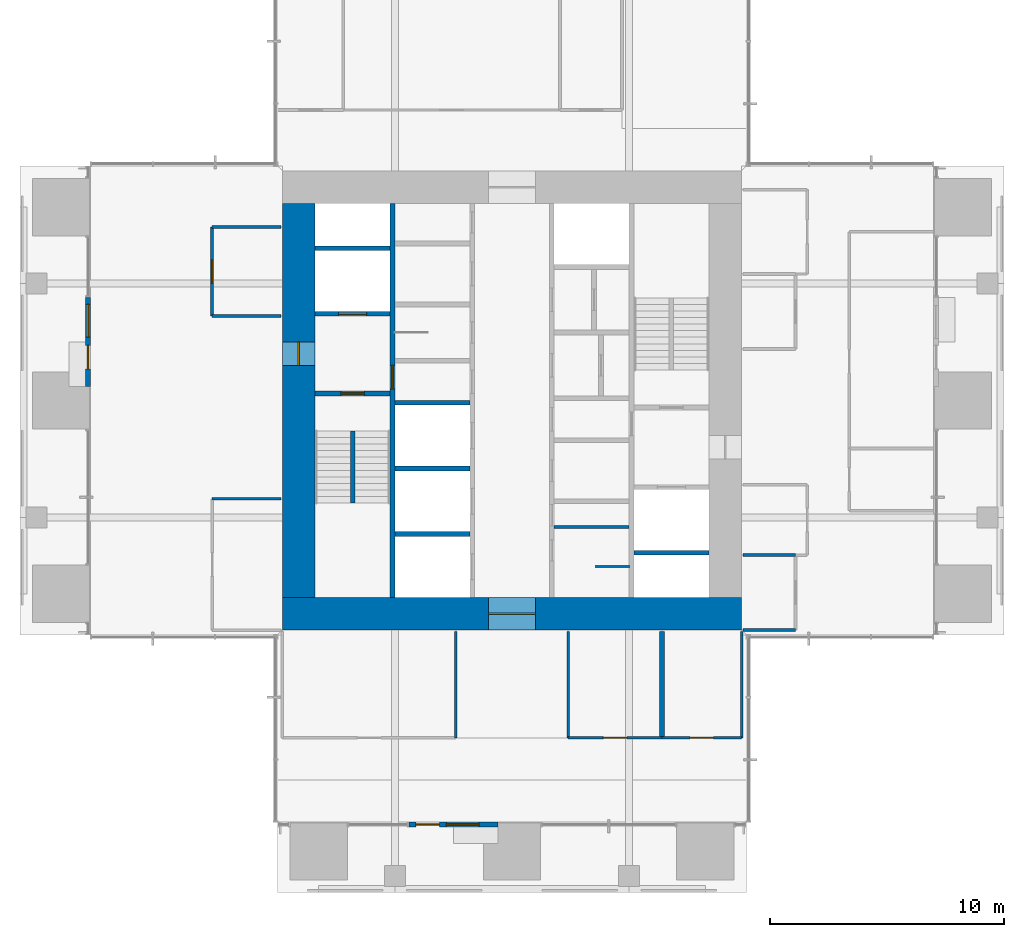
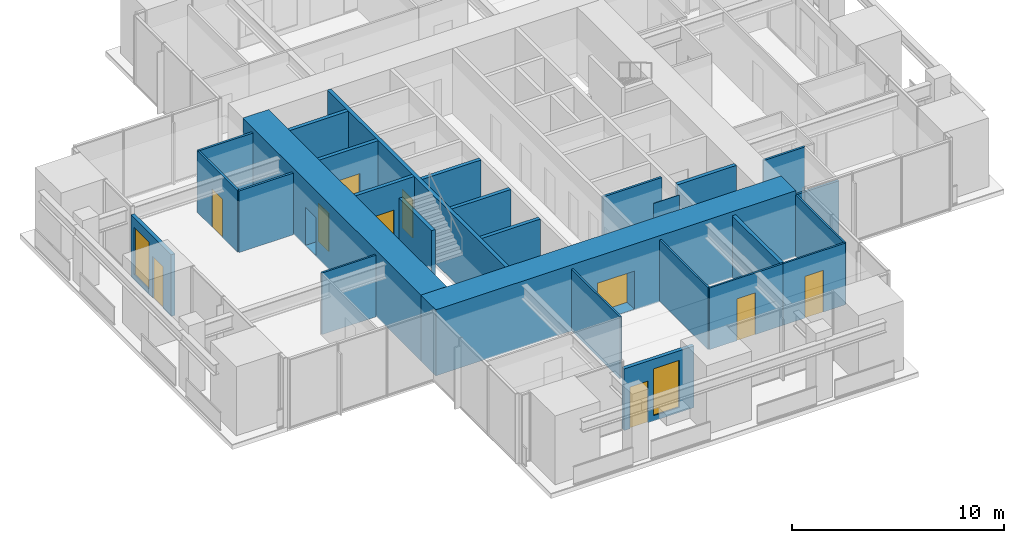
# One storey, part 12 of 17: 27 walls, 10 doors, 2 windows, 12 openings.
"""IFC4 building model written with IfcOpenShell, lengths in metres."""

import ifcopenshell
import ifcopenshell.guid

model = None  # the IFC model being written
_history = None  # IfcOwnerHistory: only IFC2X3 demands one
_inside = {}  # id of a spatial element -> (the spatial element, [elements in it])
_under = {}  # id of a project, library or spatial element -> (it, [spatial elements below it])
_declared = {}  # id of a project -> (the project, [libraries it declares])
_typed = {}  # id of a type object -> (the type object, [elements of that type])
_made_of = {}  # id of a material, layer set ... -> (it, [elements and type objects made of it])


def new_model(schema):
    """Start an empty IFC model of exactly this schema.

    Asked for "IFC4X3", IfcOpenShell would pick the latest addendum, in which some entities
    have other attributes; the version numbers below select the first issue.
    IFC2X3 requires an IfcOwnerHistory on every rooted entity: one is made here for all.
    """
    global model, _history
    if schema == "IFC4X3":
        model = ifcopenshell.file(schema_version=(4, 3, 0, 0))
    else:
        model = ifcopenshell.file(schema=schema)
    _inside.clear()
    _under.clear()
    _declared.clear()
    _typed.clear()
    _made_of.clear()
    _history = None
    if model.schema == "IFC2X3":
        org = make("IfcOrganization", Name="unknown")
        user = make(
            "IfcPersonAndOrganization",
            ThePerson=make("IfcPerson", FamilyName="unknown"),
            TheOrganization=org,
        )
        app = make(
            "IfcApplication",
            ApplicationDeveloper=org,
            Version="unknown",
            ApplicationFullName="unknown",
            ApplicationIdentifier="unknown",
        )
        _history = make(
            "IfcOwnerHistory",
            OwningUser=user,
            OwningApplication=app,
            ChangeAction="ADDED",
            CreationDate=0,
        )
    return model


def make(cls, **values):
    """One entity of the class cls with the attributes given. An attribute that is None is left unset."""
    return model.create_entity(
        cls, **{name: value for name, value in values.items() if value is not None}
    )


def rooted(cls, **values):
    """An entity with a GlobalId (a new one), such as an element, a storey or a relation."""
    return make(cls, GlobalId=ifcopenshell.guid.new(), OwnerHistory=_history, **values)


def si_unit(unit_type, name, prefix=None):
    """IfcSIUnit, for example si_unit("LENGTHUNIT", "METRE", prefix="MILLI")."""
    return make("IfcSIUnit", UnitType=unit_type, Prefix=prefix, Name=name)


def assignment(units):
    """IfcUnitAssignment: the units of a project."""
    return None if units is None else make("IfcUnitAssignment", Units=units)


def point(xyz):
    """IfcCartesianPoint."""
    return None if xyz is None else make("IfcCartesianPoint", Coordinates=xyz)


def direction(xyz):
    """IfcDirection."""
    return None if xyz is None else make("IfcDirection", DirectionRatios=xyz)


def frame(location, z_axis=None, x_axis=None):
    """IfcAxis2Placement3D, a coordinate frame: its origin and axes. An axis left out is left unset."""
    return make(
        "IfcAxis2Placement3D",
        Location=point(location),
        Axis=direction(z_axis),
        RefDirection=direction(x_axis),
    )


def frame_2d(location, x_axis=None):
    """IfcAxis2Placement2D, a coordinate frame in the plane: its origin and x axis."""
    return make(
        "IfcAxis2Placement2D", Location=point(location), RefDirection=direction(x_axis)
    )


def origin():
    """The frame at (0, 0, 0) with its axes left unset."""
    return frame((0.0, 0.0, 0.0))


def place(relative_to, where):
    """IfcLocalPlacement: puts the frame where relative to a parent placement (None: the world)."""
    return make(
        "IfcLocalPlacement", PlacementRelTo=relative_to, RelativePlacement=where
    )


def context(
    kind, dimensions, precision=None, world=None, true_north=None, identifier=None
):
    """IfcGeometricRepresentationContext, for example the 3D "Model" context."""
    return make(
        "IfcGeometricRepresentationContext",
        ContextIdentifier=identifier,
        ContextType=kind,
        CoordinateSpaceDimension=dimensions,
        Precision=precision,
        WorldCoordinateSystem=world,
        TrueNorth=true_north,
    )


def subcontext(parent, identifier, kind, view, scale=None):
    """IfcGeometricRepresentationSubContext, for example "Body" below "Model"."""
    return make(
        "IfcGeometricRepresentationSubContext",
        ContextIdentifier=identifier,
        ContextType=kind,
        ParentContext=parent,
        TargetScale=scale,
        TargetView=view,
    )


def project(units=None, contexts=None):
    """IfcProject with its units and contexts."""
    return rooted(
        "IfcProject",
        Name="project",
        RepresentationContexts=contexts,
        UnitsInContext=assignment(units),
    )


def spatial(cls, under=None, at=None, **own):
    """A site, building, storey or space (cls), placed at a placement, below another one or the project."""
    s = rooted(cls, ObjectPlacement=at, **own)
    if under is not None:
        _under.setdefault(under.id(), (under, []))[1].append(s)
    return s


def profile(cls, at=None, kind="AREA", **sizes):
    """A parametric profile (cls). Its sizes go by their IFC names, for example OverallWidth=200.0."""
    return make(cls, ProfileType=kind, Position=at, **sizes)


def rectangle(**sizes):
    """IfcRectangleProfileDef."""
    return profile("IfcRectangleProfileDef", **sizes)


def extrude(swept, where, along, depth):
    """IfcExtrudedAreaSolid: the profile swept, set in the frame where, extruded along a direction by depth."""
    return make(
        "IfcExtrudedAreaSolid",
        SweptArea=swept,
        Position=where,
        ExtrudedDirection=direction(along),
        Depth=depth,
    )


def shape(context_of_items, identifier, shape_type, items):
    """IfcShapeRepresentation: the items that make up one representation, for example the "Body"."""
    return make(
        "IfcShapeRepresentation",
        ContextOfItems=context_of_items,
        RepresentationIdentifier=identifier,
        RepresentationType=shape_type,
        Items=items,
    )


def material(Name=None, Category=None):
    """IfcMaterial."""
    return make("IfcMaterial", Name=Name, Category=Category)


def layer(
    of_material, thickness, ventilated=None, Name=None, Category=None, Priority=None
):
    """IfcMaterialLayer: one layer of a wall or slab, of a material (None: an air gap)."""
    return make(
        "IfcMaterialLayer",
        Material=of_material,
        LayerThickness=thickness,
        IsVentilated=ventilated,
        Name=Name,
        Category=Category,
        Priority=Priority,
    )


def layer_set(layers, Name=None):
    """IfcMaterialLayerSet."""
    return make("IfcMaterialLayerSet", MaterialLayers=layers, LayerSetName=Name)


def made_of(thing, what):
    """Note that an element or type object is made of a material, layer set ...; save() writes the relation."""
    if what is not None:
        _made_of.setdefault(what.id(), (what, []))[1].append(thing)
    return thing


def type_object(cls, material=None, **own):
    """A type object (cls), such as IfcWallType, which elements share."""
    return made_of(rooted(cls, **own), material)


def element(
    cls,
    number,
    at=None,
    inside=None,
    cuts=None,
    type_object=None,
    material=None,
    context=None,
    identifier="Body",
    shape_type=None,
    held_by="IfcProductDefinitionShape",
    body=None,
    shapes=None,
    **own,
):
    """One element of the class cls, such as IfcWall. Its Tag is "e" and its number.

    at: its placement. inside: the storey or other place that contains it. cuts: it is an
    opening in that element (IfcRelVoidsElement). A single representation is given by context,
    identifier, shape_type and body (its items); several are given by shapes. held_by: the class
    of the entity that holds the representations. save() writes the other relations.
    """
    e = rooted(cls, Tag="e%d" % number, ObjectPlacement=at, **own)
    if body is not None:
        shapes = [shape(context, identifier, shape_type, body)]
    if shapes is not None:
        e.Representation = make(held_by, Representations=shapes)
    if inside is not None:
        _inside.setdefault(inside.id(), (inside, []))[1].append(e)
    if cuts is not None:
        rooted(
            "IfcRelVoidsElement", RelatingBuildingElement=cuts, RelatedOpeningElement=e
        )
    if type_object is not None:
        _typed.setdefault(type_object.id(), (type_object, []))[1].append(e)
    return made_of(e, material)


def fill(opening, filler):
    """IfcRelFillsElement: the door or window that sits in an opening."""
    return rooted(
        "IfcRelFillsElement",
        RelatingOpeningElement=opening,
        RelatedBuildingElement=filler,
    )


def aggregate(whole, parts):
    """IfcRelAggregates: a whole, such as a stair, and the parts it consists of."""
    return rooted("IfcRelAggregates", RelatingObject=whole, RelatedObjects=parts)


def save(model, path):
    """Write the relations noted so far, then the file.

    IfcRelAggregates (storeys below a building ...), IfcRelContainedInSpatialStructure (elements
    in a storey), IfcRelDefinesByType, IfcRelAssociatesMaterial and IfcRelDeclares: one each for
    every whole, place, type object, material and project.
    """
    for whole, parts in _under.values():
        aggregate(whole, parts)
    for where, things in _inside.values():
        rooted(
            "IfcRelContainedInSpatialStructure",
            RelatedElements=things,
            RelatingStructure=where,
        )
    for kind, things in _typed.values():
        rooted("IfcRelDefinesByType", RelatedObjects=things, RelatingType=kind)
    for what, things in _made_of.values():
        rooted("IfcRelAssociatesMaterial", RelatedObjects=things, RelatingMaterial=what)
    for by, libraries in _declared.values():
        rooted("IfcRelDeclares", RelatingContext=by, RelatedDefinitions=libraries)
    model.write(path)


model = new_model("IFC4")

# Units and contexts
model_context = context("Model", 3, precision=1e-05, world=origin(), true_north=direction((0.0, 1.0)))
body_context = subcontext(model_context, "Body", "Model", "MODEL_VIEW")
ifc_project = project(units=[si_unit("LENGTHUNIT", "METRE"), si_unit("AREAUNIT", "SQUARE_METRE"), si_unit("VOLUMEUNIT", "CUBIC_METRE"), si_unit("PLANEANGLEUNIT", "RADIAN"), si_unit("MASSUNIT", "GRAM", prefix="KILO")], contexts=[model_context])

# Site, building, storey
site_placement = place(None, origin())
site = spatial("IfcSite", under=ifc_project, at=site_placement, CompositionType="ELEMENT")
building_placement = place(site_placement, origin())
building = spatial("IfcBuilding", under=site, at=building_placement, Name="Svetlomir Tower", CompositionType="ELEMENT")
storey_placement = place(building_placement, frame((0.0, 0.0, 230.5)))
storey = spatial("IfcBuildingStorey", under=building, at=storey_placement, Name="L55", CompositionType="ELEMENT", Elevation=230.5)

# Wall
ifc_material_1 = material(Name="Gypsum board on twin steel studs", Category="steel")
ifc_layer_1 = layer(ifc_material_1, 0.199951171875)
ifc_layer_set_1 = layer_set([ifc_layer_1], Name="Gypsum board on twin steel studs")
wall_type_1 = type_object("IfcWallType", Name="ACOUSTIC PARTITION 200", PredefinedType="PARTITIONING", material=ifc_layer_set_1)
wall_1_placement = place(storey_placement, frame((27.39990234375, 6.60009765625, 0.0), z_axis=(0.0, 0.0, 1.0), x_axis=(0.0, 1.0, 0.0)))
element("IfcWall", 1, at=wall_1_placement, inside=storey, type_object=wall_type_1, Name="Acoustic partition L55", PredefinedType="PARTITIONING", context=body_context, shape_type="SweptSolid", body=[
    extrude(rectangle(XDim=4.5498046875, YDim=0.199951171875, at=frame_2d((2.27490234375, 0.0))), origin(), (0.0, 0.0, 1.0), 3.550048828125),
])

# Wall, openings, door, window
ifc_material_2 = material(Name="Bronze anodised aluminium glazed screen", Category="aluminium")
ifc_layer_2 = layer(ifc_material_2, 0.199951171875)
ifc_layer_set_2 = layer_set([ifc_layer_2], Name="Bronze anodised aluminium glazed screen")
wall_type_2 = type_object("IfcWallType", Name="BALCONY SCREEN WALL 200", PredefinedType="USERDEFINED", material=ifc_layer_set_2)
wall_2_placement = place(storey_placement, frame((16.60009765625, 2.89990234375, 0.0), z_axis=(0.0, 0.0, 1.0), x_axis=(1.0, 0.0, 0.0)))
wall_2 = element("IfcWall", 2, at=wall_2_placement, inside=storey, type_object=wall_type_2, Name="Balcony screen S", ObjectType="GLAZED SCREEN", PredefinedType="USERDEFINED", context=body_context, shape_type="SweptSolid", body=[
    extrude(rectangle(XDim=3.7998046875, YDim=0.199951171875, at=frame_2d((1.89990234375, 0.0))), origin(), (0.0, 0.0, 1.0), 3.550048828125),
])
opening_1_placement = place(wall_2_placement, frame((0.300048828125, 0.0, 0.0)))
opening_1 = element("IfcOpeningElement", 3, at=opening_1_placement, cuts=wall_2, Name="Opening BD", PredefinedType="OPENING", context=body_context, shape_type="SweptSolid", body=[
    extrude(rectangle(XDim=1.0, YDim=2.39990234375, at=frame_2d((0.5, 1.199951171875))), frame((0.0, 0.10986328125, 0.0), z_axis=(0.0, -1.0, 0.0), x_axis=(1.0, 0.0, 0.0)), (0.0, 0.0, 1.0), 0.219970703125),
])
opening_2_placement = place(wall_2_placement, frame((1.60009765625, 0.0, 0.300048828125)))
opening_2 = element("IfcOpeningElement", 4, at=opening_2_placement, cuts=wall_2, Name="Opening WS2", PredefinedType="OPENING", context=body_context, shape_type="SweptSolid", body=[
    extrude(rectangle(XDim=1.39990234375, YDim=2.699951171875, at=frame_2d((0.699951171875, 1.35009765625))), frame((0.0, 0.10986328125, 0.0), z_axis=(0.0, -1.0, 0.0), x_axis=(1.0, 0.0, 0.0)), (0.0, 0.0, 1.0), 0.219970703125),
])
ifc_material_3 = material(Name="Bronze anodised aluminium glazed door", Category="aluminium")
door_type_1 = type_object("IfcDoorType", Name="BALCONY DOOR BD 1000x2400", OperationType="SINGLE_SWING_LEFT", PredefinedType="DOOR", material=ifc_material_3)
door_1_placement = place(opening_1_placement, origin())
door_1 = element("IfcDoor", 5, at=door_1_placement, inside=storey, type_object=door_type_1, Name="Balcony screen S door", OperationType="SINGLE_SWING_LEFT", OverallHeight=2.39990234375, OverallWidth=1.0, PredefinedType="DOOR", context=body_context, shape_type="SweptSolid", body=[
    extrude(rectangle(XDim=1.0, YDim=2.39990234375, at=frame_2d((0.5, 1.199951171875))), frame((0.0, 0.02490234375, 0.0), z_axis=(0.0, -1.0, 0.0), x_axis=(1.0, 0.0, 0.0)), (0.0, 0.0, 1.0), 0.050048828125),
])
fill(opening_1, door_1)
ifc_material_4 = material(Name="Bronze anodised aluminium window", Category="aluminium")
window_type = type_object("IfcWindowType", Name="SCREEN WINDOW WS2 1400x2700", PartitioningType="SINGLE_PANEL", PredefinedType="WINDOW", material=ifc_material_4)
window_1_placement = place(opening_2_placement, origin())
window_1 = element("IfcWindow", 6, at=window_1_placement, inside=storey, type_object=window_type, Name="Balcony screen S window 1", OverallHeight=2.699951171875, OverallWidth=1.39990234375, PartitioningType="SINGLE_PANEL", PredefinedType="WINDOW", context=body_context, shape_type="SweptSolid", body=[
    extrude(rectangle(XDim=1.39990234375, YDim=2.699951171875, at=frame_2d((0.699951171875, 1.35009765625))), frame((0.0, 0.030029296875, 0.0), z_axis=(0.0, -1.0, 0.0), x_axis=(1.0, 0.0, 0.0)), (0.0, 0.0, 1.0), 0.06005859375),
])
fill(opening_2, window_1)

wall_3_placement = place(storey_placement, frame((2.89990234375, 25.39990234375, 0.0), z_axis=(0.0, 0.0, 1.0), x_axis=(0.0, -1.0, 0.0)))
wall_3 = element("IfcWall", 7, at=wall_3_placement, inside=storey, type_object=wall_type_2, Name="Balcony screen W", ObjectType="GLAZED SCREEN", PredefinedType="USERDEFINED", context=body_context, shape_type="SweptSolid", body=[
    extrude(rectangle(XDim=3.7998046875, YDim=0.199951171875, at=frame_2d((1.89990234375, 0.0))), origin(), (0.0, 0.0, 1.0), 3.550048828125),
])
opening_3_placement = place(wall_3_placement, frame((2.050048828125, 0.0, 0.0)))
opening_3 = element("IfcOpeningElement", 8, at=opening_3_placement, cuts=wall_3, Name="Opening BD", PredefinedType="OPENING", context=body_context, shape_type="SweptSolid", body=[
    extrude(rectangle(XDim=1.0, YDim=2.39990234375, at=frame_2d((0.5, 1.199951171875))), frame((0.0, 0.10986328125, 0.0), z_axis=(0.0, -1.0, 0.0), x_axis=(1.0, 0.0, 0.0)), (0.0, 0.0, 1.0), 0.219970703125),
])
opening_4_placement = place(wall_3_placement, frame((0.300048828125, 0.0, 0.300048828125)))
opening_4 = element("IfcOpeningElement", 9, at=opening_4_placement, cuts=wall_3, Name="Opening WS2", PredefinedType="OPENING", context=body_context, shape_type="SweptSolid", body=[
    extrude(rectangle(XDim=1.39990234375, YDim=2.699951171875, at=frame_2d((0.699951171875, 1.35009765625))), frame((0.0, 0.10986328125, 0.0), z_axis=(0.0, -1.0, 0.0), x_axis=(1.0, 0.0, 0.0)), (0.0, 0.0, 1.0), 0.219970703125),
])
door_2_placement = place(opening_3_placement, origin())
door_2 = element("IfcDoor", 10, at=door_2_placement, inside=storey, type_object=door_type_1, Name="Balcony screen W door", OperationType="SINGLE_SWING_LEFT", OverallHeight=2.39990234375, OverallWidth=1.0, PredefinedType="DOOR", context=body_context, shape_type="SweptSolid", body=[
    extrude(rectangle(XDim=1.0, YDim=2.39990234375, at=frame_2d((0.5, 1.199951171875))), frame((0.0, 0.02490234375, 0.0), z_axis=(0.0, -1.0, 0.0), x_axis=(1.0, 0.0, 0.0)), (0.0, 0.0, 1.0), 0.050048828125),
])
fill(opening_3, door_2)
window_2_placement = place(opening_4_placement, origin())
window_2 = element("IfcWindow", 11, at=window_2_placement, inside=storey, type_object=window_type, Name="Balcony screen W window 1", OverallHeight=2.699951171875, OverallWidth=1.39990234375, PartitioningType="SINGLE_PANEL", PredefinedType="WINDOW", context=body_context, shape_type="SweptSolid", body=[
    extrude(rectangle(XDim=1.39990234375, YDim=2.699951171875, at=frame_2d((0.699951171875, 1.35009765625))), frame((0.0, 0.030029296875, 0.0), z_axis=(0.0, -1.0, 0.0), x_axis=(1.0, 0.0, 0.0)), (0.0, 0.0, 1.0), 0.06005859375),
])
fill(opening_4, window_2)

# Wall, opening, door
ifc_material_5 = material(Name="Concrete C60/75", Category="concrete")
ifc_layer_3 = layer(ifc_material_5, 0.199951171875)
ifc_layer_set_3 = layer_set([ifc_layer_3], Name="Concrete C60/75")
wall_type_3 = type_object("IfcWallType", Name="CORE INNER WALL 200", PredefinedType="SHEAR", material=ifc_layer_set_3)
wall_4_placement = place(storey_placement, frame((15.89990234375, 12.60009765625, -0.050048828125), z_axis=(0.0, 0.0, 1.0), x_axis=(0.0, 1.0, 0.0)))
wall_4 = element("IfcWall", 12, at=wall_4_placement, inside=storey, type_object=wall_type_3, Name="Core inner wall 15.9 L55", PredefinedType="SHEAR", context=body_context, shape_type="SweptSolid", body=[
    extrude(rectangle(XDim=16.7998046875, YDim=0.199951171875, at=frame_2d((8.39990234375, 0.0))), origin(), (0.0, 0.0, 1.0), 3.800048828125),
])
opening_5_placement = place(wall_4_placement, frame((8.89990234375, 0.0, 0.050048828125)))
opening_5 = element("IfcOpeningElement", 13, at=opening_5_placement, cuts=wall_4, Name="Opening DF", PredefinedType="OPENING", context=body_context, shape_type="SweptSolid", body=[
    extrude(rectangle(XDim=1.0, YDim=2.199951171875, at=frame_2d((0.5, 1.10009765625))), frame((0.0, 0.10986328125, 0.0), z_axis=(0.0, -1.0, 0.0), x_axis=(1.0, 0.0, 0.0)), (0.0, 0.0, 1.0), 0.219970703125),
])
ifc_material_6 = material(Name="Steel fire door", Category="steel")
door_type_2 = type_object("IfcDoorType", Name="DOOR DF 1000x2200", OperationType="SINGLE_SWING_LEFT", PredefinedType="DOOR", material=ifc_material_6)
door_3_placement = place(opening_5_placement, origin())
door_3 = element("IfcDoor", 14, at=door_3_placement, inside=storey, type_object=door_type_2, Name="Core corridor west door L55", OperationType="SINGLE_SWING_LEFT", OverallHeight=2.199951171875, OverallWidth=1.0, PredefinedType="DOOR", context=body_context, shape_type="SweptSolid", body=[
    extrude(rectangle(XDim=1.0, YDim=2.199951171875, at=frame_2d((0.5, 1.10009765625))), frame((0.0, 0.02490234375, 0.0), z_axis=(0.0, -1.0, 0.0), x_axis=(1.0, 0.0, 0.0)), (0.0, 0.0, 1.0), 0.050048828125),
])
fill(opening_5, door_3)

wall_5_placement = place(storey_placement, frame((12.60009765625, 21.300048828125, -0.050048828125), z_axis=(0.0, 0.0, 1.0), x_axis=(1.0, 0.0, 0.0)))
wall_5 = element("IfcWall", 15, at=wall_5_placement, inside=storey, type_object=wall_type_3, Name="Core inner wall 12.6-15.8/21.3 L55", PredefinedType="SHEAR", context=body_context, shape_type="SweptSolid", body=[
    extrude(rectangle(XDim=3.199951171875, YDim=0.199951171875, at=frame_2d((1.60009765625, 0.0))), origin(), (0.0, 0.0, 1.0), 3.800048828125),
])
opening_6_placement = place(wall_5_placement, frame((1.10009765625, 0.0, 0.050048828125)))
opening_6 = element("IfcOpeningElement", 16, at=opening_6_placement, cuts=wall_5, Name="Opening DF", PredefinedType="OPENING", context=body_context, shape_type="SweptSolid", body=[
    extrude(rectangle(XDim=1.0, YDim=2.199951171875, at=frame_2d((0.5, 1.10009765625))), frame((0.0, 0.10986328125, 0.0), z_axis=(0.0, -1.0, 0.0), x_axis=(1.0, 0.0, 0.0)), (0.0, 0.0, 1.0), 0.219970703125),
])
door_4_placement = place(opening_6_placement, origin())
door_4 = element("IfcDoor", 17, at=door_4_placement, inside=storey, type_object=door_type_2, Name="Stair S1 door L55", OperationType="SINGLE_SWING_RIGHT", OverallHeight=2.199951171875, OverallWidth=1.0, PredefinedType="DOOR", context=body_context, shape_type="SweptSolid", body=[
    extrude(rectangle(XDim=1.0, YDim=2.199951171875, at=frame_2d((0.5, 1.10009765625))), frame((0.0, 0.02490234375, 0.0), z_axis=(0.0, -1.0, 0.0), x_axis=(1.0, 0.0, 0.0)), (0.0, 0.0, 1.0), 0.050048828125),
])
fill(opening_6, door_4)

wall_6_placement = place(storey_placement, frame((12.60009765625, 24.699951171875, -0.050048828125), z_axis=(0.0, 0.0, 1.0), x_axis=(1.0, 0.0, 0.0)))
wall_6 = element("IfcWall", 18, at=wall_6_placement, inside=storey, type_object=wall_type_3, Name="Core inner wall 12.6-15.8/24.7 L55", PredefinedType="SHEAR", context=body_context, shape_type="SweptSolid", body=[
    extrude(rectangle(XDim=3.199951171875, YDim=0.199951171875, at=frame_2d((1.60009765625, 0.0))), origin(), (0.0, 0.0, 1.0), 3.800048828125),
])
opening_7_placement = place(wall_6_placement, frame((1.0, 0.0, 0.050048828125)))
opening_7 = element("IfcOpeningElement", 19, at=opening_7_placement, cuts=wall_6, Name="Opening LD3", PredefinedType="OPENING", context=body_context, shape_type="SweptSolid", body=[
    extrude(rectangle(XDim=1.199951171875, YDim=2.199951171875, at=frame_2d((0.60009765625, 1.10009765625))), frame((0.0, 0.10986328125, 0.0), z_axis=(0.0, -1.0, 0.0), x_axis=(1.0, 0.0, 0.0)), (0.0, 0.0, 1.0), 0.219970703125),
])
ifc_material_7 = material(Name="Stainless steel fire-rated landing door", Category="steel")
door_type_3 = type_object("IfcDoorType", Name="FIREFIGHTING LIFT LANDING DOOR LD3 1200x2200", OperationType="DOUBLE_DOOR_SLIDING", PredefinedType="DOOR", material=ifc_material_7)
door_5_placement = place(opening_7_placement, origin())
door_5 = element("IfcDoor", 20, at=door_5_placement, inside=storey, type_object=door_type_3, Name="Landing door lift FL1 L55", OperationType="DOUBLE_DOOR_SLIDING", OverallHeight=2.199951171875, OverallWidth=1.199951171875, PredefinedType="DOOR", context=body_context, shape_type="SweptSolid", body=[
    extrude(rectangle(XDim=1.199951171875, YDim=2.199951171875, at=frame_2d((0.60009765625, 1.10009765625))), frame((0.0, 0.02490234375, 0.0), z_axis=(0.0, -1.0, 0.0), x_axis=(1.0, 0.0, 0.0)), (0.0, 0.0, 1.0), 0.050048828125),
])
fill(opening_7, door_5)

# Walls
for number, where, z_axis, x_axis, name in (
    (21, (12.60009765625, 27.5, -0.050048828125), (0.0, 0.0, 1.0), (1.0, 0.0, 0.0), "Core inner wall 12.6-15.8/27.5 L55"),
    (22, (16.0, 15.300048828125, -0.050048828125), (0.0, 0.0, 1.0), (1.0, 0.0, 0.0), "Core inner wall 16-19.2/15.3 L55"),
    (23, (16.0, 18.10009765625, -0.050048828125), (0.0, 0.0, 1.0), (1.0, 0.0, 0.0), "Core inner wall 16-19.2/18.1 L55"),
    (24, (16.0, 20.89990234375, -0.050048828125), (0.0, 0.0, 1.0), (1.0, 0.0, 0.0), "Core inner wall 16-19.2/20.9 L55"),
    (25, (26.199951171875, 14.5, -0.050048828125), (0.0, 0.0, 1.0), (1.0, 0.0, 0.0), "Core inner wall 26.2-29.4/14.5 L55"),
):
    element("IfcWall", number, at=place(storey_placement, frame(where, z_axis=z_axis, x_axis=x_axis)), inside=storey, type_object=wall_type_3, Name=name, PredefinedType="SHEAR", context=body_context, shape_type="SweptSolid", body=[
        extrude(rectangle(XDim=3.199951171875, YDim=0.199951171875, at=frame_2d((1.60009765625, 0.0))), origin(), (0.0, 0.0, 1.0), 3.800048828125),
    ])

# Wall, opening, door
ifc_material_8 = material(Name="Concrete C60/75", Category="concrete")
ifc_layer_4 = layer(ifc_material_8, 1.39990234375)
ifc_layer_set_4 = layer_set([ifc_layer_4], Name="Concrete C60/75")
wall_type_4 = type_object("IfcWallType", Name="CORE WALL 1400", PredefinedType="SHEAR", material=ifc_layer_set_4)
wall_7_placement = place(storey_placement, frame((11.199951171875, 11.89990234375, -0.050048828125), z_axis=(0.0, 0.0, 1.0), x_axis=(1.0, 0.0, 0.0)))
wall_7 = element("IfcWall", 26, at=wall_7_placement, inside=storey, type_object=wall_type_4, Name="Core wall south L55", PredefinedType="SHEAR", context=body_context, shape_type="SweptSolid", body=[
    extrude(rectangle(XDim=19.60009765625, YDim=1.39990234375, at=frame_2d((9.800048828125, 0.0))), origin(), (0.0, 0.0, 1.0), 3.800048828125),
])
opening_8_placement = place(wall_7_placement, frame((8.800048828125, 0.0, 0.050048828125)))
opening_8 = element("IfcOpeningElement", 27, at=opening_8_placement, cuts=wall_7, Name="Opening DL", PredefinedType="OPENING", context=body_context, shape_type="SweptSolid", body=[
    extrude(rectangle(XDim=2.0, YDim=2.199951171875, at=frame_2d((1.0, 1.10009765625))), frame((0.0, 0.7099609375, 0.0), z_axis=(0.0, -1.0, 0.0), x_axis=(1.0, 0.0, 0.0)), (0.0, 0.0, 1.0), 1.419921875),
])
ifc_material_9 = material(Name="Steel fire door", Category="steel")
door_type_4 = type_object("IfcDoorType", Name="DOOR DL 2000x2200", OperationType="DOUBLE_DOOR_SINGLE_SWING", PredefinedType="DOOR", material=ifc_material_9)
door_6_placement = place(opening_8_placement, origin())
door_6 = element("IfcDoor", 28, at=door_6_placement, inside=storey, type_object=door_type_4, Name="Lift lobby south door L55", OperationType="DOUBLE_DOOR_SINGLE_SWING", OverallHeight=2.199951171875, OverallWidth=2.0, PredefinedType="DOOR", context=body_context, shape_type="SweptSolid", body=[
    extrude(rectangle(XDim=2.0, YDim=2.199951171875, at=frame_2d((1.0, 1.10009765625))), frame((0.0, 0.02490234375, 0.0), z_axis=(0.0, -1.0, 0.0), x_axis=(1.0, 0.0, 0.0)), (0.0, 0.0, 1.0), 0.050048828125),
])
fill(opening_8, door_6)

wall_8_placement = place(storey_placement, frame((11.89990234375, 12.60009765625, -0.050048828125), z_axis=(0.0, 0.0, 1.0), x_axis=(0.0, 1.0, 0.0)))
wall_8 = element("IfcWall", 29, at=wall_8_placement, inside=storey, type_object=wall_type_4, Name="Core wall west L55", PredefinedType="SHEAR", context=body_context, shape_type="SweptSolid", body=[
    extrude(rectangle(XDim=16.7998046875, YDim=1.39990234375, at=frame_2d((8.39990234375, 0.0))), origin(), (0.0, 0.0, 1.0), 3.800048828125),
])
opening_9_placement = place(wall_8_placement, frame((9.89990234375, 0.0, 0.050048828125)))
opening_9 = element("IfcOpeningElement", 30, at=opening_9_placement, cuts=wall_8, Name="Opening DF", PredefinedType="OPENING", context=body_context, shape_type="SweptSolid", body=[
    extrude(rectangle(XDim=1.0, YDim=2.199951171875, at=frame_2d((0.5, 1.10009765625))), frame((0.0, 0.7099609375, 0.0), z_axis=(0.0, -1.0, 0.0), x_axis=(1.0, 0.0, 0.0)), (0.0, 0.0, 1.0), 1.419921875),
])
door_7_placement = place(opening_9_placement, origin())
door_7 = element("IfcDoor", 31, at=door_7_placement, inside=storey, type_object=door_type_2, Name="Firefighting lobby west door L55", OperationType="SINGLE_SWING_RIGHT", OverallHeight=2.199951171875, OverallWidth=1.0, PredefinedType="DOOR", context=body_context, shape_type="SweptSolid", body=[
    extrude(rectangle(XDim=1.0, YDim=2.199951171875, at=frame_2d((0.5, 1.10009765625))), frame((0.0, 0.02490234375, 0.0), z_axis=(0.0, -1.0, 0.0), x_axis=(1.0, 0.0, 0.0)), (0.0, 0.0, 1.0), 0.050048828125),
])
fill(opening_9, door_7)

# Walls
ifc_material_10 = material(Name="Framed laminated glass partition", Category="glass")
ifc_layer_5 = layer(ifc_material_10, 0.10009765625)
ifc_layer_set_5 = layer_set([ifc_layer_5], Name="Framed laminated glass partition")
wall_type_5 = type_object("IfcWallType", Name="GLAZED PARTITION 100", PredefinedType="PARTITIONING", material=ifc_layer_set_5)
wall_9_placement = place(storey_placement, frame((8.199951171875, 16.800048828125, 0.0), z_axis=(0.0, 0.0, 1.0), x_axis=(1.0, 0.0, 0.0)))
element("IfcWall", 32, at=wall_9_placement, inside=storey, type_object=wall_type_5, Name="Glazed partition L55", PredefinedType="PARTITIONING", context=body_context, shape_type="SweptSolid", body=[
    extrude(rectangle(XDim=2.949951171875, YDim=0.10009765625, at=frame_2d((1.47509765625, 0.0))), origin(), (0.0, 0.0, 1.0), 3.550048828125),
])
for number, where, z_axis, x_axis, name in (
    (33, (18.60009765625, 6.60009765625, 0.0), (0.0, 0.0, 1.0), (0.0, 1.0, 0.0), "Glazed partition L55"),
    (34, (23.39990234375, 6.60009765625, 0.0), (0.0, 0.0, 1.0), (0.0, 1.0, 0.0), "Glazed partition L55"),
):
    element("IfcWall", number, at=place(storey_placement, frame(where, z_axis=z_axis, x_axis=x_axis)), inside=storey, type_object=wall_type_5, Name=name, PredefinedType="PARTITIONING", context=body_context, shape_type="SweptSolid", body=[
        extrude(rectangle(XDim=4.5498046875, YDim=0.10009765625, at=frame_2d((2.27490234375, 0.0))), origin(), (0.0, 0.0, 1.0), 3.550048828125),
    ])

# Wall, opening, door
wall_10_placement = place(storey_placement, frame((23.39990234375, 6.60009765625, 0.0), z_axis=(0.0, 0.0, 1.0), x_axis=(1.0, 0.0, 0.0)))
wall_10 = element("IfcWall", 35, at=wall_10_placement, inside=storey, type_object=wall_type_5, Name="Glazed partition L55", PredefinedType="PARTITIONING", context=body_context, shape_type="SweptSolid", body=[
    extrude(rectangle(XDim=4.0, YDim=0.10009765625, at=frame_2d((2.0, 0.0))), origin(), (0.0, 0.0, 1.0), 3.550048828125),
])
opening_10_placement = place(wall_10_placement, frame((1.5, 0.0, 0.0)))
opening_10 = element("IfcOpeningElement", 36, at=opening_10_placement, cuts=wall_10, Name="Opening DG", PredefinedType="OPENING", context=body_context, shape_type="SweptSolid", body=[
    extrude(rectangle(XDim=1.0, YDim=2.39990234375, at=frame_2d((0.5, 1.199951171875))), frame((0.0, 0.06005859375, 0.0), z_axis=(0.0, -1.0, 0.0), x_axis=(1.0, 0.0, 0.0)), (0.0, 0.0, 1.0), 0.1201171875),
])
ifc_material_11 = material(Name="Framed laminated glass door", Category="glass")
door_type_5 = type_object("IfcDoorType", Name="GLAZED DOOR DG 1000x2400", OperationType="SINGLE_SWING_LEFT", PredefinedType="DOOR", material=ifc_material_11)
door_8_placement = place(opening_10_placement, origin())
door_8 = element("IfcDoor", 37, at=door_8_placement, inside=storey, type_object=door_type_5, Name="Meeting room, 6 seats 1 door L55", OperationType="SINGLE_SWING_RIGHT", OverallHeight=2.39990234375, OverallWidth=1.0, PredefinedType="DOOR", context=body_context, shape_type="SweptSolid", body=[
    extrude(rectangle(XDim=1.0, YDim=2.39990234375, at=frame_2d((0.5, 1.199951171875))), frame((0.0, 0.02490234375, 0.0), z_axis=(0.0, -1.0, 0.0), x_axis=(1.0, 0.0, 0.0)), (0.0, 0.0, 1.0), 0.050048828125),
])
fill(opening_10, door_8)

wall_11_placement = place(storey_placement, frame((27.39990234375, 6.60009765625, 0.0), z_axis=(0.0, 0.0, 1.0), x_axis=(1.0, 0.0, 0.0)))
wall_11 = element("IfcWall", 38, at=wall_11_placement, inside=storey, type_object=wall_type_5, Name="Glazed partition L55", PredefinedType="PARTITIONING", context=body_context, shape_type="SweptSolid", body=[
    extrude(rectangle(XDim=3.400146484375, YDim=0.10009765625, at=frame_2d((1.7001953125, 0.0))), origin(), (0.0, 0.0, 1.0), 3.550048828125),
])
opening_11_placement = place(wall_11_placement, frame((1.199951171875, 0.0, 0.0)))
opening_11 = element("IfcOpeningElement", 39, at=opening_11_placement, cuts=wall_11, Name="Opening DG", PredefinedType="OPENING", context=body_context, shape_type="SweptSolid", body=[
    extrude(rectangle(XDim=1.0, YDim=2.39990234375, at=frame_2d((0.5, 1.199951171875))), frame((0.0, 0.06005859375, 0.0), z_axis=(0.0, -1.0, 0.0), x_axis=(1.0, 0.0, 0.0)), (0.0, 0.0, 1.0), 0.1201171875),
])
door_9_placement = place(opening_11_placement, origin())
door_9 = element("IfcDoor", 40, at=door_9_placement, inside=storey, type_object=door_type_5, Name="Meeting room, 4 seats door L55", OperationType="SINGLE_SWING_LEFT", OverallHeight=2.39990234375, OverallWidth=1.0, PredefinedType="DOOR", context=body_context, shape_type="SweptSolid", body=[
    extrude(rectangle(XDim=1.0, YDim=2.39990234375, at=frame_2d((0.5, 1.199951171875))), frame((0.0, 0.02490234375, 0.0), z_axis=(0.0, -1.0, 0.0), x_axis=(1.0, 0.0, 0.0)), (0.0, 0.0, 1.0), 0.050048828125),
])
fill(opening_11, door_9)

# Walls
wall_12_placement = place(storey_placement, frame((30.800048828125, 6.60009765625, 0.0), z_axis=(0.0, 0.0, 1.0), x_axis=(0.0, 1.0, 0.0)))
element("IfcWall", 41, at=wall_12_placement, inside=storey, type_object=wall_type_5, Name="Glazed partition L55", PredefinedType="PARTITIONING", context=body_context, shape_type="SweptSolid", body=[
    extrude(rectangle(XDim=4.5498046875, YDim=0.10009765625, at=frame_2d((2.27490234375, 0.0))), origin(), (0.0, 0.0, 1.0), 3.550048828125),
])
ifc_material_12 = material(Name="Gypsum board on steel studs", Category="steel")
ifc_layer_6 = layer(ifc_material_12, 0.1201171875)
ifc_layer_set_6 = layer_set([ifc_layer_6], Name="Gypsum board on steel studs")
wall_type_6 = type_object("IfcWallType", Name="PARTITION 120", PredefinedType="PARTITIONING", material=ifc_layer_set_6)
wall_13_placement = place(storey_placement, frame((22.800048828125, 15.60009765625, 0.0), z_axis=(0.0, 0.0, 1.0), x_axis=(1.0, 0.0, 0.0)))
element("IfcWall", 42, at=wall_13_placement, inside=storey, type_object=wall_type_6, Name="Shower room partition L55", PredefinedType="PARTITIONING", context=body_context, shape_type="SweptSolid", body=[
    extrude(rectangle(XDim=3.199951171875, YDim=0.1201171875, at=frame_2d((1.60009765625, 0.0))), origin(), (0.0, 0.0, 1.0), 3.550048828125),
])

# Wall, opening, door
wall_14_placement = place(storey_placement, frame((8.199951171875, 24.60009765625, 0.0), z_axis=(0.0, 0.0, 1.0), x_axis=(0.0, 1.0, 0.0)))
wall_14 = element("IfcWall", 43, at=wall_14_placement, inside=storey, type_object=wall_type_6, Name="Partition L55", PredefinedType="PARTITIONING", context=body_context, shape_type="SweptSolid", body=[
    extrude(rectangle(XDim=3.7998046875, YDim=0.1201171875, at=frame_2d((1.89990234375, 0.0))), origin(), (0.0, 0.0, 1.0), 3.550048828125),
])
opening_12_placement = place(wall_14_placement, frame((1.39990234375, 0.0, 0.0)))
opening_12 = element("IfcOpeningElement", 44, at=opening_12_placement, cuts=wall_14, Name="Opening DR", PredefinedType="OPENING", context=body_context, shape_type="SweptSolid", body=[
    extrude(rectangle(XDim=1.0, YDim=2.199951171875, at=frame_2d((0.5, 1.10009765625))), frame((0.0, 0.070068359375, 0.0), z_axis=(0.0, -1.0, 0.0), x_axis=(1.0, 0.0, 0.0)), (0.0, 0.0, 1.0), 0.14013671875),
])
ifc_material_13 = material(Name="Timber door, glazed side light", Category="wood")
door_type_6 = type_object("IfcDoorType", Name="DOOR DR 1000x2200", OperationType="SINGLE_SWING_LEFT", PredefinedType="DOOR", material=ifc_material_13)
door_10_placement = place(opening_12_placement, origin())
door_10 = element("IfcDoor", 45, at=door_10_placement, inside=storey, type_object=door_type_6, Name="Speechwriters office door L55", OperationType="SINGLE_SWING_RIGHT", OverallHeight=2.199951171875, OverallWidth=1.0, PredefinedType="DOOR", context=body_context, shape_type="SweptSolid", body=[
    extrude(rectangle(XDim=1.0, YDim=2.199951171875, at=frame_2d((0.5, 1.10009765625))), frame((0.0, 0.02490234375, 0.0), z_axis=(0.0, -1.0, 0.0), x_axis=(1.0, 0.0, 0.0)), (0.0, 0.0, 1.0), 0.050048828125),
])
fill(opening_12, door_10)

# Walls
for number, where, z_axis, x_axis, name in (
    (46, (8.199951171875, 24.60009765625, 0.0), (0.0, 0.0, 1.0), (1.0, 0.0, 0.0), "Partition L55"),
    (47, (8.199951171875, 28.39990234375, 0.0), (0.0, 0.0, 1.0), (1.0, 0.0, 0.0), "Partition L55"),
):
    element("IfcWall", number, at=place(storey_placement, frame(where, z_axis=z_axis, x_axis=x_axis)), inside=storey, type_object=wall_type_6, Name=name, PredefinedType="PARTITIONING", context=body_context, shape_type="SweptSolid", body=[
        extrude(rectangle(XDim=2.949951171875, YDim=0.1201171875, at=frame_2d((1.47509765625, 0.0))), origin(), (0.0, 0.0, 1.0), 3.550048828125),
    ])
for number, where, z_axis, x_axis, name in (
    (48, (30.85009765625, 11.199951171875, 0.0), (0.0, 0.0, 1.0), (1.0, 0.0, 0.0), "Partition L55"),
    (49, (30.85009765625, 14.39990234375, 0.0), (0.0, 0.0, 1.0), (1.0, 0.0, 0.0), "Partition L55"),
):
    element("IfcWall", number, at=place(storey_placement, frame(where, z_axis=z_axis, x_axis=x_axis)), inside=storey, type_object=wall_type_6, Name=name, PredefinedType="PARTITIONING", context=body_context, shape_type="SweptSolid", body=[
        extrude(rectangle(XDim=2.25, YDim=0.1201171875, at=frame_2d((1.125, 0.0))), origin(), (0.0, 0.0, 1.0), 3.550048828125),
    ])
ifc_material_14 = material(Name="Concrete C60/75", Category="concrete")
ifc_layer_7 = layer(ifc_material_14, 0.199951171875)
ifc_layer_set_7 = layer_set([ifc_layer_7], Name="Concrete C60/75")
wall_type_7 = type_object("IfcWallType", Name="STAIR SPINE WALL 200", PredefinedType="PARTITIONING", material=ifc_layer_set_7)
wall_15_placement = place(storey_placement, frame((14.199951171875, 16.6201171875, 0.0), z_axis=(0.0, 0.0, 1.0), x_axis=(0.0, 1.0, 0.0)))
element("IfcWall", 50, at=wall_15_placement, inside=storey, type_object=wall_type_7, Name="Stair S1 spine wall L55", PredefinedType="PARTITIONING", context=body_context, shape_type="SweptSolid", body=[
    extrude(rectangle(XDim=3.079833984375, YDim=0.199951171875, at=frame_2d((1.5400390625, 0.0))), origin(), (0.0, 0.0, 1.0), 4.0),
])
ifc_material_15 = material(Name="Compact laminate panel", Category="plastic")
ifc_layer_8 = layer(ifc_material_15, 0.030029296875)
ifc_layer_set_8 = layer_set([ifc_layer_8], Name="Compact laminate panel")
wall_type_8 = type_object("IfcWallType", Name="WC CUBICLE PARTITION 30", PredefinedType="PARTITIONING", material=ifc_layer_set_8)
wall_16_placement = place(storey_placement, frame((24.60009765625, 13.89990234375, 0.0), z_axis=(0.0, 0.0, 1.0), x_axis=(1.0, 0.0, 0.0)))
element("IfcWall", 51, at=wall_16_placement, inside=storey, type_object=wall_type_8, Name="WC cubicle partition L55", PredefinedType="PARTITIONING", context=body_context, shape_type="SweptSolid", body=[
    extrude(rectangle(XDim=1.39990234375, YDim=0.030029296875, at=frame_2d((0.699951171875, 0.0))), origin(), (0.0, 0.0, 1.0), 3.550048828125),
])

save(model, "model.ifc")
